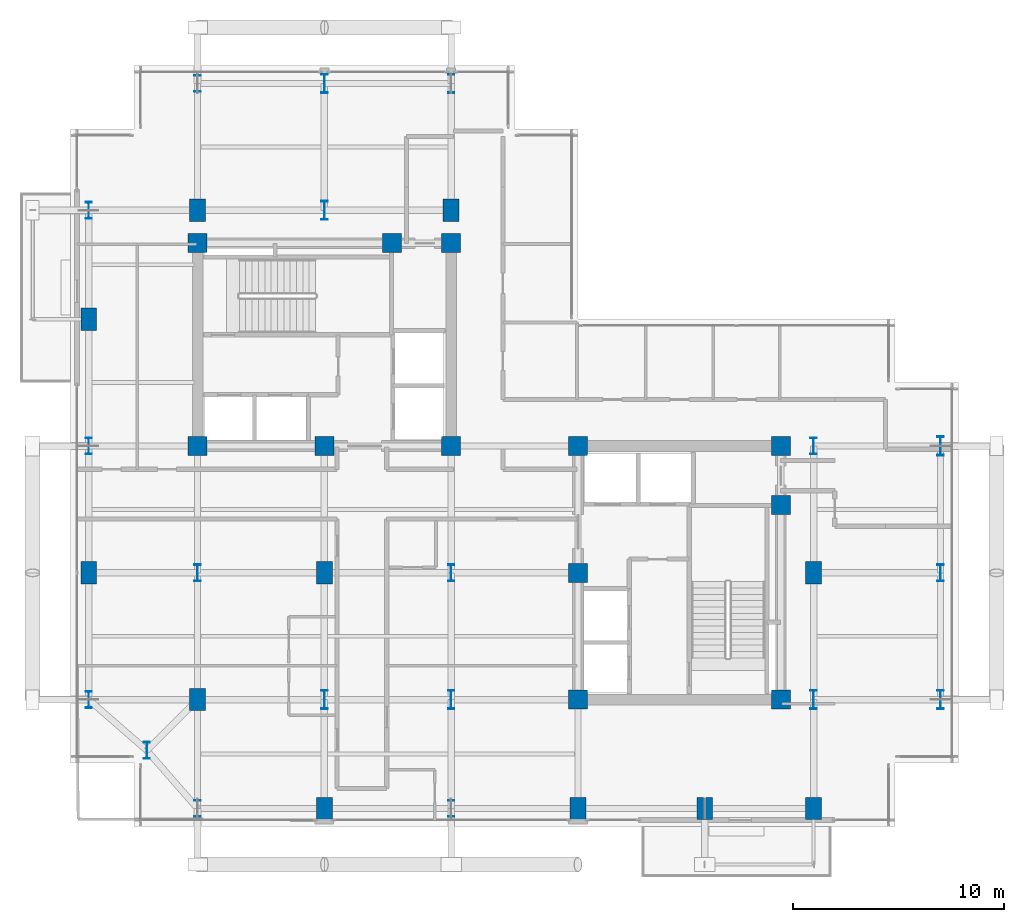
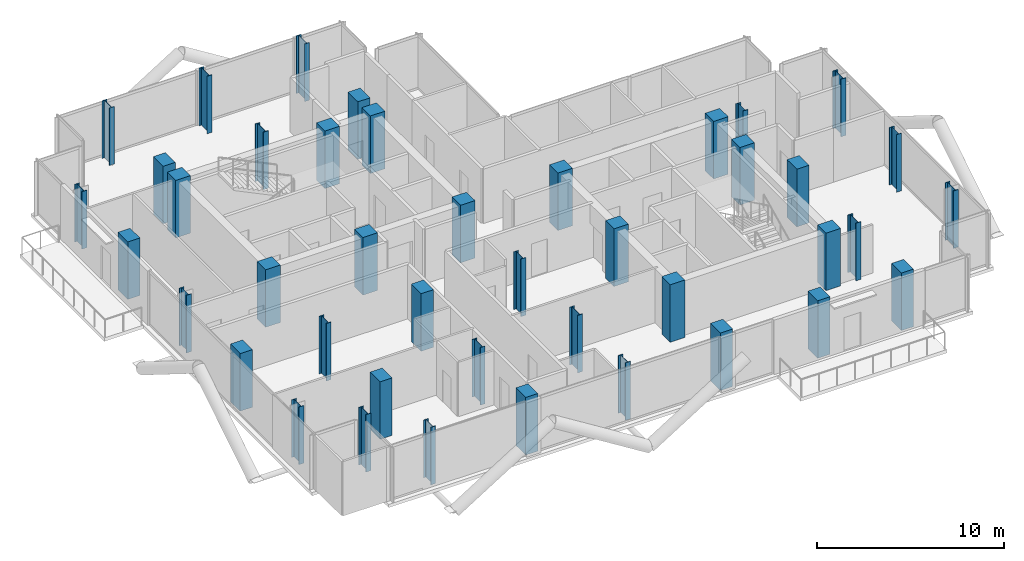
# One storey, part 1 of 25: 42 columns.
"""IFC4 building model written with IfcOpenShell, lengths in metres."""

from ifc_helpers import new_model, si_unit, direction, frame, origin, origin_2d, place, context, subcontext, project, spatial, rectangle, i_section, extrude, material, material_profile, profile_set, type_object, element, save


model = new_model("IFC4")

# Units and contexts
model_context = context("Model", 3, precision=1e-05, world=origin(), true_north=direction((0.0, 1.0)))
body_context = subcontext(model_context, "Body", "Model", "MODEL_VIEW")
ifc_project = project(units=[si_unit("LENGTHUNIT", "METRE"), si_unit("AREAUNIT", "SQUARE_METRE"), si_unit("VOLUMEUNIT", "CUBIC_METRE"), si_unit("PLANEANGLEUNIT", "RADIAN"), si_unit("MASSUNIT", "GRAM", prefix="KILO"), si_unit("THERMODYNAMICTEMPERATUREUNIT", "KELVIN"), si_unit("POWERUNIT", "WATT")], contexts=[model_context])

# Site, building, storey
site_placement = place(None, origin())
site = spatial("IfcSite", under=ifc_project, at=site_placement, CompositionType="ELEMENT")
building_placement = place(site_placement, origin())
building = spatial("IfcBuilding", under=site, at=building_placement, Name="Svarakhadi Broadcast Tower", CompositionType="ELEMENT")
storey_placement = place(building_placement, frame((0.0, 0.0, 212.39990234375)))
storey = spatial("IfcBuildingStorey", under=building, at=storey_placement, Name="L52", CompositionType="ELEMENT", Elevation=212.39990234375)

# Columns
ifc_material_1 = material(Name="Concrete C50/60 (IS 456 M60)", Category="concrete")
ifc_material_profile_1 = material_profile(ifc_material_1, rectangle(XDim=0.75, YDim=1.050048828125, at=origin_2d()), Name="RC 750x1050")
ifc_profile_set_1 = profile_set([ifc_material_profile_1], Name="Concrete C50/60 (IS 456 M60)")
column_type_1 = type_object("IfcColumnType", Name="Col_RC750", PredefinedType="COLUMN", material=ifc_profile_set_1)
for number, where, z_axis, x_axis, name in (
    (1, (0.85009765625, 12.0, 0.0), (0.0, 0.0, 1.0), (1.0, 0.0, 0.0), "L52 Column G04"),
    (2, (0.85009765625, 24.0, 0.0), (0.0, 0.0, 1.0), (1.0, 0.0, 0.0), "L52 Column G06"),
    (3, (6.0, 6.0, 0.0), (0.0, 0.0, 1.0), (1.0, 0.0, 0.0), "L52 Column G12"),
    (4, (6.0, 29.14990234375, 0.0), (0.0, 0.0, 1.0), (1.0, 0.0, 0.0), "L52 Column G14"),
    (5, (12.0, 0.85009765625, 0.0), (0.0, 0.0, 1.0), (1.0, 0.0, 0.0), "L52 Column G18"),
    (6, (12.0, 12.0, 0.0), (0.0, 0.0, 1.0), (1.0, 0.0, 0.0), "L52 Column G20"),
    (7, (18.0, 29.14990234375, 0.0), (0.0, 0.0, 1.0), (1.0, 0.0, 0.0), "L52 Column G28"),
    (8, (24.0, 0.85009765625, 0.0), (0.0, 0.0, 1.0), (1.0, 0.0, 0.0), "L52 Column G32"),
    (9, (30.0, 0.85009765625, 0.0), (0.0, 0.0, 1.0), (1.0, 0.0, 0.0), "L52 Column G36"),
    (10, (35.14990234375, 0.85009765625, 0.0), (0.0, 0.0, 1.0), (1.0, 0.0, 0.0), "L52 Column G38"),
    (11, (35.14990234375, 12.0, 0.0), (0.0, 0.0, 1.0), (1.0, 0.0, 0.0), "L52 Column G40"),
):
    element("IfcColumn", number, at=place(storey_placement, frame(where, z_axis=z_axis, x_axis=x_axis)), inside=storey, type_object=column_type_1, Name=name, PredefinedType="COLUMN", context=body_context, shape_type="SweptSolid", body=[
        extrude(rectangle(XDim=0.75, YDim=1.050048828125, at=origin_2d()), origin(), (0.0, 0.0, 1.0), 3.75),
    ])
ifc_material_profile_2 = material_profile(ifc_material_1, rectangle(XDim=0.89990234375, YDim=0.89990234375, at=origin_2d()), Name="RC 900x900")
ifc_profile_set_2 = profile_set([ifc_material_profile_2], Name="Concrete C50/60 (IS 456 M60)")
column_type_2 = type_object("IfcColumnType", Name="Col_RC900", PredefinedType="COLUMN", material=ifc_profile_set_2)
for number, where, z_axis, x_axis, name in (
    (12, (6.0, 18.0, 0.0), (0.0, 0.0, 1.0), (1.0, 0.0, 0.0), "L52 Column CW1"),
    (13, (12.0, 18.0, 0.0), (0.0, 0.0, 1.0), (1.0, 0.0, 0.0), "L52 Column CW2"),
    (14, (18.0, 18.0, 0.0), (0.0, 0.0, 1.0), (1.0, 0.0, 0.0), "L52 Column CW3"),
    (15, (6.0, 27.60009765625, 0.0), (0.0, 0.0, 1.0), (1.0, 0.0, 0.0), "L52 Column CW4"),
    (16, (15.199951171875, 27.60009765625, 0.0), (0.0, 0.0, 1.0), (1.0, 0.0, 0.0), "L52 Column CW5"),
    (17, (18.0, 27.60009765625, 0.0), (0.0, 0.0, 1.0), (1.0, 0.0, 0.0), "L52 Column CW6"),
    (18, (24.0, 6.0, 0.0), (0.0, 0.0, 1.0), (1.0, 0.0, 0.0), "L52 Column CE1"),
    (19, (24.0, 12.0, 0.0), (0.0, 0.0, 1.0), (1.0, 0.0, 0.0), "L52 Column CE2"),
    (20, (24.0, 18.0, 0.0), (0.0, 0.0, 1.0), (1.0, 0.0, 0.0), "L52 Column CE3"),
    (21, (33.60009765625, 6.0, 0.0), (0.0, 0.0, 1.0), (1.0, 0.0, 0.0), "L52 Column CE4"),
    (22, (33.60009765625, 15.199951171875, 0.0), (0.0, 0.0, 1.0), (1.0, 0.0, 0.0), "L52 Column CE5"),
    (23, (33.60009765625, 18.0, 0.0), (0.0, 0.0, 1.0), (1.0, 0.0, 0.0), "L52 Column CE6"),
):
    element("IfcColumn", number, at=place(storey_placement, frame(where, z_axis=z_axis, x_axis=x_axis)), inside=storey, type_object=column_type_2, Name=name, PredefinedType="COLUMN", context=body_context, shape_type="SweptSolid", body=[
        extrude(rectangle(XDim=0.89990234375, YDim=0.89990234375, at=origin_2d()), origin(), (0.0, 0.0, 1.0), 3.75),
    ])
ifc_material_2 = material(Name="Steel S460ML (IS 2062 E450BR)", Category="steel")
ifc_material_profile_3 = material_profile(ifc_material_2, i_section(OverallWidth=0.300048828125, OverallDepth=0.800048828125, WebThickness=0.017578125, FlangeThickness=0.032958984375, FilletRadius=0.030029296875, at=origin_2d()), Name="WPB 800x300x262")
ifc_profile_set_3 = profile_set([ifc_material_profile_3], Name="Steel S460ML (IS 2062 E450BR)")
column_type_3 = type_object("IfcColumnType", Name="Col_WPB800", PredefinedType="COLUMN", material=ifc_profile_set_3)
for number, where, z_axis, x_axis, name in (
    (24, (3.60009765625, 3.60009765625, 0.0), (0.0, 0.0, 1.0), (1.0, 0.0, 0.0), "L52 Column G01"),
    (25, (0.85009765625, 6.0, 0.0), (0.0, 0.0, 1.0), (1.0, 0.0, 0.0), "L52 Column G03"),
    (26, (0.85009765625, 18.0, 0.0), (0.0, 0.0, 1.0), (1.0, 0.0, 0.0), "L52 Column G05"),
    (27, (0.85009765625, 29.14990234375, 0.0), (0.0, 0.0, 1.0), (1.0, 0.0, 0.0), "L52 Column G07"),
    (28, (6.0, 0.85009765625, 0.0), (0.0, 0.0, 1.0), (1.0, 0.0, 0.0), "L52 Column G11"),
    (29, (6.0, 12.0, 0.0), (0.0, 0.0, 1.0), (1.0, 0.0, 0.0), "L52 Column G13"),
    (30, (6.0, 35.14990234375, 0.0), (0.0, 0.0, 1.0), (1.0, 0.0, 0.0), "L52 Column G15"),
    (31, (18.0, 0.85009765625, 0.0), (0.0, 0.0, 1.0), (1.0, 0.0, 0.0), "L52 Column G25"),
    (32, (18.0, 12.0, 0.0), (0.0, 0.0, 1.0), (1.0, 0.0, 0.0), "L52 Column G27"),
    (33, (35.14990234375, 18.0, 0.0), (0.0, 0.0, 1.0), (1.0, 0.0, 0.0), "L52 Column G41"),
    (34, (41.14990234375, 12.0, 0.0), (0.0, 0.0, 1.0), (1.0, 0.0, 0.0), "L52 Column G45"),
):
    element("IfcColumn", number, at=place(storey_placement, frame(where, z_axis=z_axis, x_axis=x_axis)), inside=storey, type_object=column_type_3, Name=name, PredefinedType="COLUMN", context=body_context, shape_type="SweptSolid", body=[
        extrude(i_section(OverallWidth=0.300048828125, OverallDepth=0.800048828125, WebThickness=0.017578125, FlangeThickness=0.032958984375, FilletRadius=0.030029296875, at=origin_2d()), origin(), (0.0, 0.0, 1.0), 3.75),
    ])
ifc_material_profile_4 = material_profile(ifc_material_2, i_section(OverallWidth=0.300048828125, OverallDepth=0.89990234375, WebThickness=0.0185546875, FlangeThickness=0.034912109375, FilletRadius=0.030029296875, at=origin_2d()), Name="WPB 900x300x291")
ifc_profile_set_4 = profile_set([ifc_material_profile_4], Name="Steel S460ML (IS 2062 E450BR)")
column_type_4 = type_object("IfcColumnType", Name="Col_WPB900", PredefinedType="COLUMN", material=ifc_profile_set_4)
for number, where, z_axis, x_axis, name in (
    (35, (12.0, 6.0, 0.0), (0.0, 0.0, 1.0), (1.0, 0.0, 0.0), "L52 Column G19"),
    (36, (12.0, 29.14990234375, 0.0), (0.0, 0.0, 1.0), (1.0, 0.0, 0.0), "L52 Column G21"),
    (37, (12.0, 35.14990234375, 0.0), (0.0, 0.0, 1.0), (1.0, 0.0, 0.0), "L52 Column G22"),
    (38, (18.0, 6.0, 0.0), (0.0, 0.0, 1.0), (1.0, 0.0, 0.0), "L52 Column G26"),
    (39, (18.0, 35.14990234375, 0.0), (0.0, 0.0, 1.0), (1.0, 0.0, 0.0), "L52 Column G29"),
    (40, (35.14990234375, 6.0, 0.0), (0.0, 0.0, 1.0), (1.0, 0.0, 0.0), "L52 Column G39"),
    (41, (41.14990234375, 6.0, 0.0), (0.0, 0.0, 1.0), (1.0, 0.0, 0.0), "L52 Column G44"),
    (42, (41.14990234375, 18.0, 0.0), (0.0, 0.0, 1.0), (1.0, 0.0, 0.0), "L52 Column G46"),
):
    element("IfcColumn", number, at=place(storey_placement, frame(where, z_axis=z_axis, x_axis=x_axis)), inside=storey, type_object=column_type_4, Name=name, PredefinedType="COLUMN", context=body_context, shape_type="SweptSolid", body=[
        extrude(i_section(OverallWidth=0.300048828125, OverallDepth=0.89990234375, WebThickness=0.0185546875, FlangeThickness=0.034912109375, FilletRadius=0.030029296875, at=origin_2d()), origin(), (0.0, 0.0, 1.0), 3.75),
    ])

save(model, "model.ifc")
